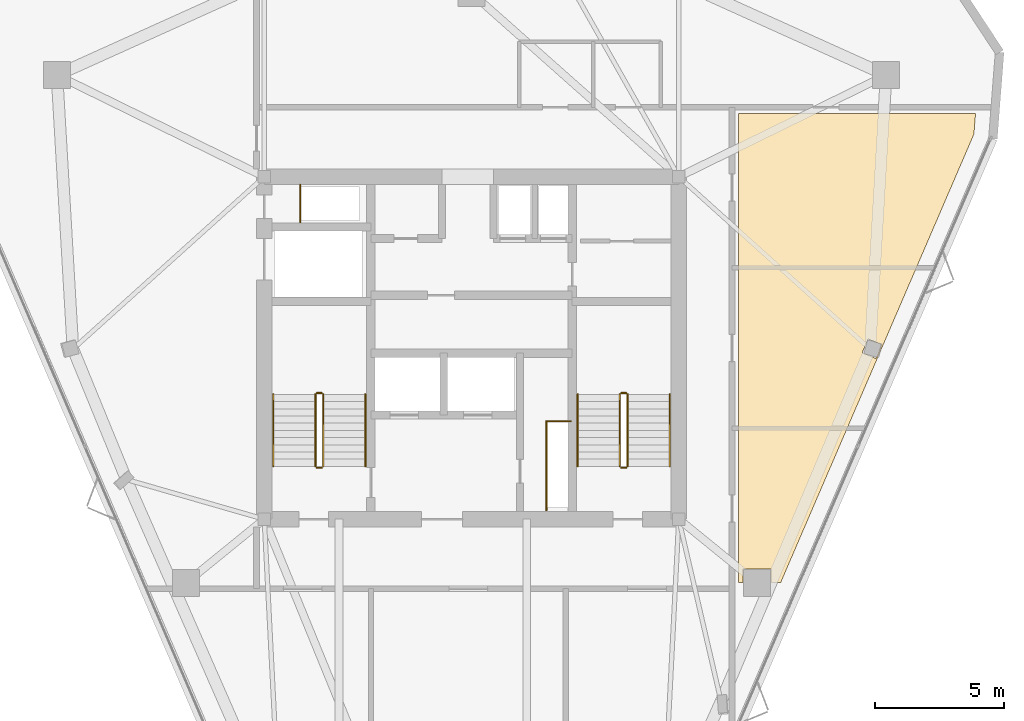
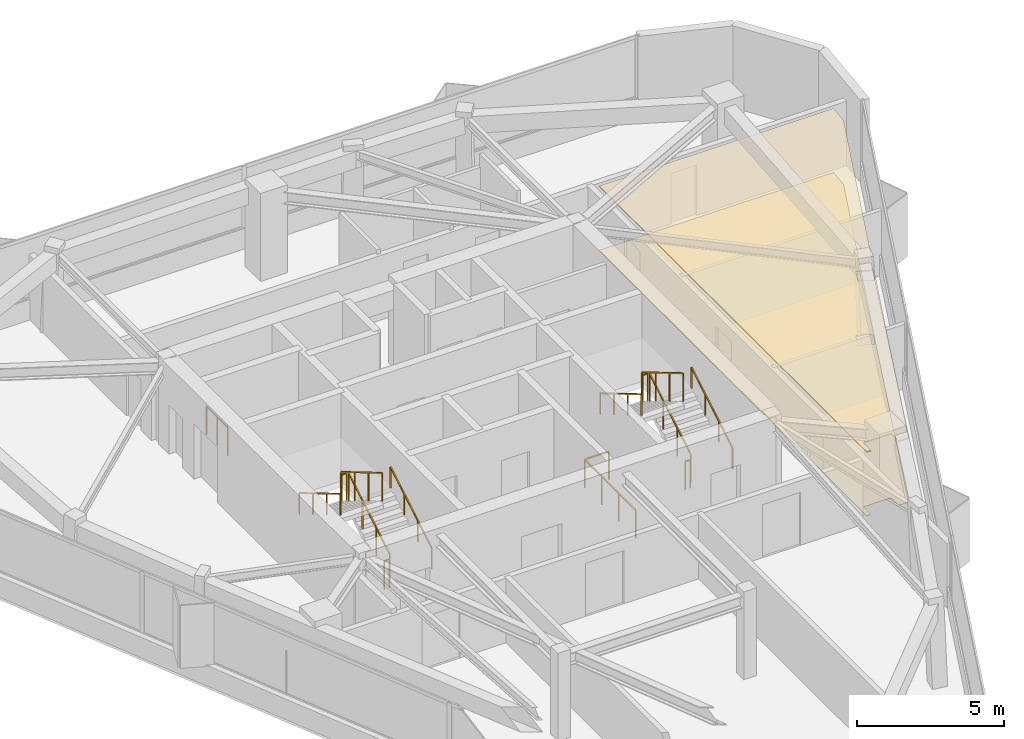
# One storey, part 9 of 9: 14 railings, 2 coverings.
"""IFC4 building model written with IfcOpenShell, lengths in metres."""

from ifc_helpers import new_model, si_unit, direction, frame, origin, origin_2d, place, context, subcontext, project, spatial, polyline, rectangle, outline, extrude, material, layer, layer_set, type_object, element, save


model = new_model("IFC4")

# Units and contexts
model_context = context("Model", 3, precision=1e-05, world=origin(), true_north=direction((0.0, 1.0)))
body_context = subcontext(model_context, "Body", "Model", "MODEL_VIEW")
ifc_project = project(units=[si_unit("LENGTHUNIT", "METRE"), si_unit("AREAUNIT", "SQUARE_METRE"), si_unit("VOLUMEUNIT", "CUBIC_METRE"), si_unit("PLANEANGLEUNIT", "RADIAN"), si_unit("MASSUNIT", "GRAM", prefix="KILO")], contexts=[model_context])

# Site, building, storey
site_placement = place(None, origin())
site = spatial("IfcSite", under=ifc_project, at=site_placement, CompositionType="ELEMENT")
building_placement = place(site_placement, origin())
building = spatial("IfcBuilding", under=site, at=building_placement, Name="Talyreon Biosciences Tower", CompositionType="ELEMENT")
storey_placement = place(building_placement, frame((0.0, 0.0, 302.050048828125)))
storey = spatial("IfcBuildingStorey", under=building, at=storey_placement, Name="L80", CompositionType="ELEMENT", Elevation=302.050048828125)

# Coverings
ifc_material_1 = material(Name="Cleanable acoustic mineral-fibre ceiling tile", Category="gypsum")
ifc_layer_1 = layer(ifc_material_1, 0.0400390625)
ifc_layer_set_1 = layer_set([ifc_layer_1], Name="Cleanable acoustic mineral-fibre ceiling tile")
covering_type_1 = type_object("IfcCoveringType", Name="AcousticCleanroomCeiling_40", PredefinedType="CEILING", material=ifc_layer_set_1)
covering_1_placement = place(storey_placement, frame((0.0, 0.0, 2.639892578125)))
element("IfcCovering", 1, at=covering_1_placement, inside=storey, type_object=covering_type_1, Name="L80 Acoustic Laboratory Ceiling", PredefinedType="CEILING", context=body_context, shape_type="SweptSolid", body=[
    extrude(outline(polyline([(78.012939453125, 58.89990234375), (77.626220703125, 58.89990234375), (77.626220703125, 59.42041015625), (76.546142578125, 59.42041015625), (76.546142578125, 58.89990234375), (76.3701171875, 58.89990234375), (76.3701171875, 77.10009765625), (85.57568359375, 77.10009765625), (85.514404296875, 76.307861328125), (78.012939453125, 58.89990234375)]), holes=[polyline([(81.704833984375, 67.58984375), (81.9345703125, 68.12255859375), (81.40185546875, 68.35205078125), (81.172119140625, 67.819580078125), (81.704833984375, 67.58984375)])]), origin(), (0.0, 0.0, 1.0), 0.0400390625),
])
ifc_material_2 = material(Name="Chemical-resistant seamless epoxy resin flooring", Category="plastic")
ifc_layer_2 = layer(ifc_material_2, 0.014892578125)
ifc_layer_set_2 = layer_set([ifc_layer_2], Name="Chemical-resistant seamless epoxy resin flooring")
covering_type_2 = type_object("IfcCoveringType", Name="SeamlessEpoxyLabFlooring_15", PredefinedType="FLOORING", material=ifc_layer_set_2)
covering_2_placement = place(storey_placement, origin())
element("IfcCovering", 2, at=covering_2_placement, inside=storey, type_object=covering_type_2, Name="L80 Laboratory Floor Finish", PredefinedType="FLOORING", context=body_context, shape_type="SweptSolid", body=[
    extrude(outline(polyline([(78.012939453125, 58.89990234375), (77.626220703125, 58.89990234375), (77.626220703125, 59.42041015625), (76.546142578125, 59.42041015625), (76.546142578125, 58.89990234375), (76.3701171875, 58.89990234375), (76.3701171875, 77.10009765625), (85.57568359375, 77.10009765625), (85.514404296875, 76.307861328125), (78.012939453125, 58.89990234375)]), holes=[polyline([(81.704833984375, 67.58984375), (81.9345703125, 68.12255859375), (81.40185546875, 68.35205078125), (81.172119140625, 67.819580078125), (81.704833984375, 67.58984375)])]), origin(), (0.0, 0.0, 1.0), 0.014892578125),
])

# Railings
ifc_material_3 = material(Name="Brushed stainless-steel tubular handrail", Category="steel")
railing_type_1 = type_object("IfcRailingType", Name="StairWallHandrail_900", PredefinedType="HANDRAIL", material=ifc_material_3)
railing_1_placement = place(storey_placement, frame((61.8798828125, 63.39990234375, 0.165771484375)))
element("IfcRailing", 3, at=railing_1_placement, inside=storey, type_object=railing_type_1, Name="L80 ST-1 stair handrail 1", PredefinedType="HANDRAIL", context=body_context, shape_type="SweptSolid", body=[
    extrude(rectangle(XDim=0.048095703125, YDim=0.048095703125, at=origin_2d()), frame((0.0, 0.0, 0.8759765625), z_axis=(0.0, 0.860306154799, 0.50977771628), x_axis=(-1.0, 0.0, 0.0)), (0.0, 0.0, 1.0), 3.254638671875),
    extrude(rectangle(XDim=0.0419921875, YDim=0.0419921875, at=origin_2d()), origin(), (0.0, 0.0, 1.0), 0.851806640625),
    extrude(rectangle(XDim=0.0419921875, YDim=0.0419921875, at=origin_2d()), frame((0.0, 0.933349609375, 0.552978515625)), (0.0, 0.0, 1.0), 0.851806640625),
    extrude(rectangle(XDim=0.0419921875, YDim=0.0419921875, at=origin_2d()), frame((0.0, 1.86669921875, 1.106201171875)), (0.0, 0.0, 1.0), 0.851806640625),
    extrude(rectangle(XDim=0.0419921875, YDim=0.0419921875, at=origin_2d()), frame((0.0, 2.800048828125, 1.6591796875)), (0.0, 0.0, 1.0), 0.851806640625),
])
railing_2_placement = place(storey_placement, frame((58.300048828125, 66.199951171875, 1.990966796875)))
element("IfcRailing", 4, at=railing_2_placement, inside=storey, type_object=railing_type_1, Name="L80 ST-1 stair handrail 2", PredefinedType="HANDRAIL", context=body_context, shape_type="SweptSolid", body=[
    extrude(rectangle(XDim=0.048095703125, YDim=0.048095703125, at=origin_2d()), frame((0.0, 0.0, 0.8759765625), z_axis=(0.0, -0.860339051648, 0.50972219513), x_axis=(1.0, 0.0, 0.0)), (0.0, 0.0, 1.0), 3.254638671875),
    extrude(rectangle(XDim=0.0419921875, YDim=0.0419921875, at=origin_2d()), origin(), (0.0, 0.0, 1.0), 0.851806640625),
    extrude(rectangle(XDim=0.0419921875, YDim=0.0419921875, at=origin_2d()), frame((0.0, -0.933349609375, 0.552978515625)), (0.0, 0.0, 1.0), 0.851806640625),
    extrude(rectangle(XDim=0.0419921875, YDim=0.0419921875, at=origin_2d()), frame((0.0, -1.86669921875, 1.10595703125)), (0.0, 0.0, 1.0), 0.851806640625),
    extrude(rectangle(XDim=0.0419921875, YDim=0.0419921875, at=origin_2d()), frame((0.0, -2.800048828125, 1.658935546875)), (0.0, 0.0, 1.0), 0.851806640625),
])
railing_3_placement = place(storey_placement, frame((73.699951171875, 63.39990234375, 0.165771484375)))
element("IfcRailing", 5, at=railing_3_placement, inside=storey, type_object=railing_type_1, Name="L80 ST-2 stair handrail 1", PredefinedType="HANDRAIL", context=body_context, shape_type="SweptSolid", body=[
    extrude(rectangle(XDim=0.048095703125, YDim=0.048095703125, at=origin_2d()), frame((0.0, 0.0, 0.8759765625), z_axis=(0.0, 0.860306154799, 0.50977771628), x_axis=(-1.0, 0.0, 0.0)), (0.0, 0.0, 1.0), 3.254638671875),
    extrude(rectangle(XDim=0.0419921875, YDim=0.0419921875, at=origin_2d()), origin(), (0.0, 0.0, 1.0), 0.851806640625),
    extrude(rectangle(XDim=0.0419921875, YDim=0.0419921875, at=origin_2d()), frame((0.0, 0.933349609375, 0.552978515625)), (0.0, 0.0, 1.0), 0.851806640625),
    extrude(rectangle(XDim=0.0419921875, YDim=0.0419921875, at=origin_2d()), frame((0.0, 1.86669921875, 1.106201171875)), (0.0, 0.0, 1.0), 0.851806640625),
    extrude(rectangle(XDim=0.0419921875, YDim=0.0419921875, at=origin_2d()), frame((0.0, 2.800048828125, 1.6591796875)), (0.0, 0.0, 1.0), 0.851806640625),
])
railing_4_placement = place(storey_placement, frame((70.1201171875, 66.199951171875, 1.990966796875)))
element("IfcRailing", 6, at=railing_4_placement, inside=storey, type_object=railing_type_1, Name="L80 ST-2 stair handrail 2", PredefinedType="HANDRAIL", context=body_context, shape_type="SweptSolid", body=[
    extrude(rectangle(XDim=0.048095703125, YDim=0.048095703125, at=origin_2d()), frame((0.0, 0.0, 0.8759765625), z_axis=(0.0, -0.860339051648, 0.50972219513), x_axis=(1.0, 0.0, 0.0)), (0.0, 0.0, 1.0), 3.254638671875),
    extrude(rectangle(XDim=0.0419921875, YDim=0.0419921875, at=origin_2d()), origin(), (0.0, 0.0, 1.0), 0.851806640625),
    extrude(rectangle(XDim=0.0419921875, YDim=0.0419921875, at=origin_2d()), frame((0.0, -0.933349609375, 0.552978515625)), (0.0, 0.0, 1.0), 0.851806640625),
    extrude(rectangle(XDim=0.0419921875, YDim=0.0419921875, at=origin_2d()), frame((0.0, -1.86669921875, 1.10595703125)), (0.0, 0.0, 1.0), 0.851806640625),
    extrude(rectangle(XDim=0.0419921875, YDim=0.0419921875, at=origin_2d()), frame((0.0, -2.800048828125, 1.658935546875)), (0.0, 0.0, 1.0), 0.851806640625),
])
ifc_material_4 = material(Name="Painted galvanised steel post-and-rail balustrade", Category="steel")
railing_type_2 = type_object("IfcRailingType", Name="TerraceStairGuard_1200", PredefinedType="GUARDRAIL", material=ifc_material_4)
railing_5_placement = place(storey_placement, frame((60.239990234375, 63.39990234375, 0.165771484375)))
element("IfcRailing", 7, at=railing_5_placement, inside=storey, type_object=railing_type_2, Name="L80 ST-1 stair guard 1", PredefinedType="GUARDRAIL", context=body_context, shape_type="SweptSolid", body=[
    extrude(rectangle(XDim=0.048095703125, YDim=0.048095703125, at=origin_2d()), frame((0.0, 0.0, 1.17578125), z_axis=(0.0, 0.860306154799, 0.50977771628), x_axis=(-1.0, 0.0, 0.0)), (0.0, 0.0, 1.0), 3.254638671875),
    extrude(rectangle(XDim=0.0419921875, YDim=0.0419921875, at=origin_2d()), origin(), (0.0, 0.0, 1.0), 1.15185546875),
    extrude(rectangle(XDim=0.0419921875, YDim=0.0419921875, at=origin_2d()), frame((0.0, 0.933349609375, 0.552978515625)), (0.0, 0.0, 1.0), 1.15185546875),
    extrude(rectangle(XDim=0.0419921875, YDim=0.0419921875, at=origin_2d()), frame((0.0, 1.86669921875, 1.106201171875)), (0.0, 0.0, 1.0), 1.15185546875),
    extrude(rectangle(XDim=0.0419921875, YDim=0.0419921875, at=origin_2d()), frame((0.0, 2.800048828125, 1.6591796875)), (0.0, 0.0, 1.0), 1.15185546875),
])
railing_6_placement = place(storey_placement, frame((60.18994140625, 66.25, 1.824951171875)))
element("IfcRailing", 8, at=railing_6_placement, inside=storey, type_object=railing_type_2, Name="L80 ST-1 stair guard 2", PredefinedType="GUARDRAIL", context=body_context, shape_type="SweptSolid", body=[
    extrude(rectangle(XDim=0.048095703125, YDim=0.048095703125, at=origin_2d()), frame((0.0, 0.0, 1.17578125), z_axis=(-1.0, 0.0, 0.0), x_axis=(0.0, -1.0, 0.0)), (0.0, 0.0, 1.0), 0.199951171875),
    extrude(rectangle(XDim=0.0419921875, YDim=0.0419921875, at=origin_2d()), origin(), (0.0, 0.0, 1.0), 1.15185546875),
    extrude(rectangle(XDim=0.0419921875, YDim=0.0419921875, at=origin_2d()), frame((-0.199951171875, 0.0, 0.0)), (0.0, 0.0, 1.0), 1.15185546875),
])
railing_7_placement = place(storey_placement, frame((59.93994140625, 66.199951171875, 1.990966796875)))
element("IfcRailing", 9, at=railing_7_placement, inside=storey, type_object=railing_type_2, Name="L80 ST-1 stair guard 3", PredefinedType="GUARDRAIL", context=body_context, shape_type="SweptSolid", body=[
    extrude(rectangle(XDim=0.048095703125, YDim=0.048095703125, at=origin_2d()), frame((0.0, 0.0, 1.17578125), z_axis=(0.0, -0.860339051648, 0.50972219513), x_axis=(1.0, 0.0, 0.0)), (0.0, 0.0, 1.0), 3.254638671875),
    extrude(rectangle(XDim=0.0419921875, YDim=0.0419921875, at=origin_2d()), origin(), (0.0, 0.0, 1.0), 1.15185546875),
    extrude(rectangle(XDim=0.0419921875, YDim=0.0419921875, at=origin_2d()), frame((0.0, -0.933349609375, 0.552978515625)), (0.0, 0.0, 1.0), 1.15185546875),
    extrude(rectangle(XDim=0.0419921875, YDim=0.0419921875, at=origin_2d()), frame((0.0, -1.86669921875, 1.10595703125)), (0.0, 0.0, 1.0), 1.15185546875),
    extrude(rectangle(XDim=0.0419921875, YDim=0.0419921875, at=origin_2d()), frame((0.0, -2.800048828125, 1.658935546875)), (0.0, 0.0, 1.0), 1.15185546875),
])
railing_8_placement = place(storey_placement, frame((60.18994140625, 63.35009765625, 0.0)))
element("IfcRailing", 10, at=railing_8_placement, inside=storey, type_object=railing_type_2, Name="L80 ST-1 stair guard 4", PredefinedType="GUARDRAIL", context=body_context, shape_type="SweptSolid", body=[
    extrude(rectangle(XDim=0.048095703125, YDim=0.048095703125, at=origin_2d()), frame((0.0, 0.0, 1.17578125), z_axis=(-1.0, 0.0, 0.0), x_axis=(0.0, -1.0, 0.0)), (0.0, 0.0, 1.0), 0.199951171875),
    extrude(rectangle(XDim=0.0419921875, YDim=0.0419921875, at=origin_2d()), origin(), (0.0, 0.0, 1.0), 1.15185546875),
    extrude(rectangle(XDim=0.0419921875, YDim=0.0419921875, at=origin_2d()), frame((-0.199951171875, 0.0, 0.0)), (0.0, 0.0, 1.0), 1.15185546875),
])
railing_9_placement = place(storey_placement, frame((72.06005859375, 63.39990234375, 0.165771484375)))
element("IfcRailing", 11, at=railing_9_placement, inside=storey, type_object=railing_type_2, Name="L80 ST-2 stair guard 1", PredefinedType="GUARDRAIL", context=body_context, shape_type="SweptSolid", body=[
    extrude(rectangle(XDim=0.048095703125, YDim=0.048095703125, at=origin_2d()), frame((0.0, 0.0, 1.17578125), z_axis=(0.0, 0.860306154799, 0.50977771628), x_axis=(-1.0, 0.0, 0.0)), (0.0, 0.0, 1.0), 3.254638671875),
    extrude(rectangle(XDim=0.0419921875, YDim=0.0419921875, at=origin_2d()), origin(), (0.0, 0.0, 1.0), 1.15185546875),
    extrude(rectangle(XDim=0.0419921875, YDim=0.0419921875, at=origin_2d()), frame((0.0, 0.933349609375, 0.552978515625)), (0.0, 0.0, 1.0), 1.15185546875),
    extrude(rectangle(XDim=0.0419921875, YDim=0.0419921875, at=origin_2d()), frame((0.0, 1.86669921875, 1.106201171875)), (0.0, 0.0, 1.0), 1.15185546875),
    extrude(rectangle(XDim=0.0419921875, YDim=0.0419921875, at=origin_2d()), frame((0.0, 2.800048828125, 1.6591796875)), (0.0, 0.0, 1.0), 1.15185546875),
])
railing_10_placement = place(storey_placement, frame((72.010009765625, 66.25, 1.824951171875)))
element("IfcRailing", 12, at=railing_10_placement, inside=storey, type_object=railing_type_2, Name="L80 ST-2 stair guard 2", PredefinedType="GUARDRAIL", context=body_context, shape_type="SweptSolid", body=[
    extrude(rectangle(XDim=0.048095703125, YDim=0.048095703125, at=origin_2d()), frame((0.0, 0.0, 1.17578125), z_axis=(-1.0, 0.0, 0.0), x_axis=(0.0, -1.0, 0.0)), (0.0, 0.0, 1.0), 0.199951171875),
    extrude(rectangle(XDim=0.0419921875, YDim=0.0419921875, at=origin_2d()), origin(), (0.0, 0.0, 1.0), 1.15185546875),
    extrude(rectangle(XDim=0.0419921875, YDim=0.0419921875, at=origin_2d()), frame((-0.199951171875, 0.0, 0.0)), (0.0, 0.0, 1.0), 1.15185546875),
])
railing_11_placement = place(storey_placement, frame((71.760009765625, 66.199951171875, 1.990966796875)))
element("IfcRailing", 13, at=railing_11_placement, inside=storey, type_object=railing_type_2, Name="L80 ST-2 stair guard 3", PredefinedType="GUARDRAIL", context=body_context, shape_type="SweptSolid", body=[
    extrude(rectangle(XDim=0.048095703125, YDim=0.048095703125, at=origin_2d()), frame((0.0, 0.0, 1.17578125), z_axis=(0.0, -0.860339051648, 0.50972219513), x_axis=(1.0, 0.0, 0.0)), (0.0, 0.0, 1.0), 3.254638671875),
    extrude(rectangle(XDim=0.0419921875, YDim=0.0419921875, at=origin_2d()), origin(), (0.0, 0.0, 1.0), 1.15185546875),
    extrude(rectangle(XDim=0.0419921875, YDim=0.0419921875, at=origin_2d()), frame((0.0, -0.933349609375, 0.552978515625)), (0.0, 0.0, 1.0), 1.15185546875),
    extrude(rectangle(XDim=0.0419921875, YDim=0.0419921875, at=origin_2d()), frame((0.0, -1.86669921875, 1.10595703125)), (0.0, 0.0, 1.0), 1.15185546875),
    extrude(rectangle(XDim=0.0419921875, YDim=0.0419921875, at=origin_2d()), frame((0.0, -2.800048828125, 1.658935546875)), (0.0, 0.0, 1.0), 1.15185546875),
])
railing_12_placement = place(storey_placement, frame((72.010009765625, 63.35009765625, 0.0)))
element("IfcRailing", 14, at=railing_12_placement, inside=storey, type_object=railing_type_2, Name="L80 ST-2 stair guard 4", PredefinedType="GUARDRAIL", context=body_context, shape_type="SweptSolid", body=[
    extrude(rectangle(XDim=0.048095703125, YDim=0.048095703125, at=origin_2d()), frame((0.0, 0.0, 1.17578125), z_axis=(-1.0, 0.0, 0.0), x_axis=(0.0, -1.0, 0.0)), (0.0, 0.0, 1.0), 0.199951171875),
    extrude(rectangle(XDim=0.0419921875, YDim=0.0419921875, at=origin_2d()), origin(), (0.0, 0.0, 1.0), 1.15185546875),
    extrude(rectangle(XDim=0.0419921875, YDim=0.0419921875, at=origin_2d()), frame((-0.199951171875, 0.0, 0.0)), (0.0, 0.0, 1.0), 1.15185546875),
])
railing_13_placement = place(storey_placement, frame((59.35009765625, 72.8798828125, 0.0)))
element("IfcRailing", 15, at=railing_13_placement, inside=storey, type_object=railing_type_2, Name="L80 Exhaust Riser Maintenance Guardrail", PredefinedType="GUARDRAIL", context=body_context, shape_type="SweptSolid", body=[
    extrude(rectangle(XDim=0.048095703125, YDim=0.048095703125, at=origin_2d()), frame((0.0, 0.0, 1.17578125), z_axis=(0.0, 1.0, 0.0), x_axis=(-1.0, 0.0, 0.0)), (0.0, 0.0, 1.0), 1.4501953125),
    extrude(rectangle(XDim=0.0419921875, YDim=0.0419921875, at=origin_2d()), origin(), (0.0, 0.0, 1.0), 1.15185546875),
    extrude(rectangle(XDim=0.0419921875, YDim=0.0419921875, at=origin_2d()), frame((0.0, 0.72509765625, 0.0)), (0.0, 0.0, 1.0), 1.15185546875),
    extrude(rectangle(XDim=0.0419921875, YDim=0.0419921875, at=origin_2d()), frame((0.0, 1.4501953125, 0.0)), (0.0, 0.0, 1.0), 1.15185546875),
])
railing_14_placement = place(storey_placement, frame((68.909912109375, 61.699951171875, 0.0)))
element("IfcRailing", 16, at=railing_14_placement, inside=storey, type_object=railing_type_2, Name="L80 Electrical Riser Maintenance Guardrail", PredefinedType="GUARDRAIL", context=body_context, shape_type="SweptSolid", body=[
    extrude(rectangle(XDim=0.048095703125, YDim=0.048095703125, at=origin_2d()), frame((0.0, 0.0, 1.17578125), z_axis=(0.0, 1.0, 0.0), x_axis=(-1.0, 0.0, 0.0)), (0.0, 0.0, 1.0), 3.4599609375),
    extrude(rectangle(XDim=0.048095703125, YDim=0.048095703125, at=origin_2d()), frame((0.0, 3.4599609375, 1.17578125), z_axis=(1.0, 0.0, 0.0), x_axis=(0.0, 1.0, 0.0)), (0.0, 0.0, 1.0), 0.9501953125),
    extrude(rectangle(XDim=0.0419921875, YDim=0.0419921875, at=origin_2d()), origin(), (0.0, 0.0, 1.0), 1.15185546875),
    extrude(rectangle(XDim=0.0419921875, YDim=0.0419921875, at=origin_2d()), frame((0.0, 1.1533203125, 0.0)), (0.0, 0.0, 1.0), 1.15185546875),
    extrude(rectangle(XDim=0.0419921875, YDim=0.0419921875, at=origin_2d()), frame((0.0, 2.306640625, 0.0)), (0.0, 0.0, 1.0), 1.15185546875),
    extrude(rectangle(XDim=0.0419921875, YDim=0.0419921875, at=origin_2d()), frame((0.0, 3.4599609375, 0.0)), (0.0, 0.0, 1.0), 1.15185546875),
    extrude(rectangle(XDim=0.0419921875, YDim=0.0419921875, at=origin_2d()), frame((0.9501953125, 3.4599609375, 0.0)), (0.0, 0.0, 1.0), 1.15185546875),
])

save(model, "model.ifc")
